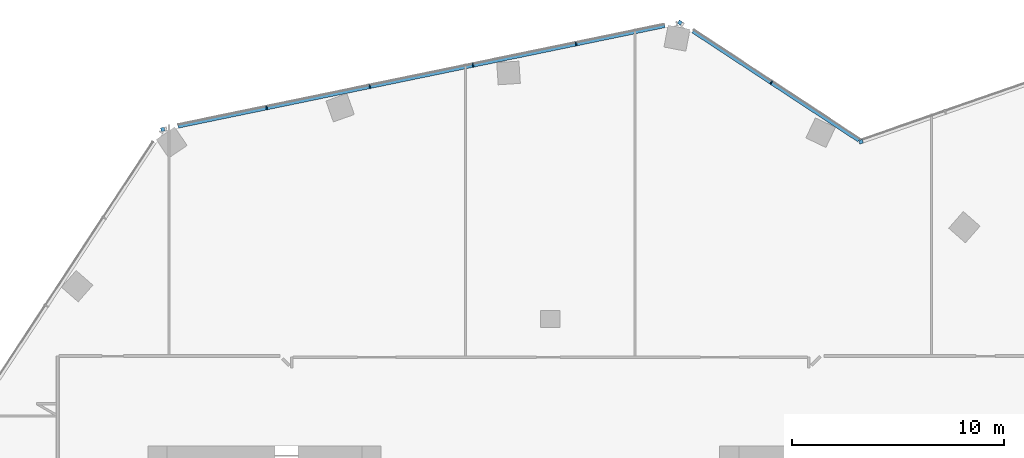
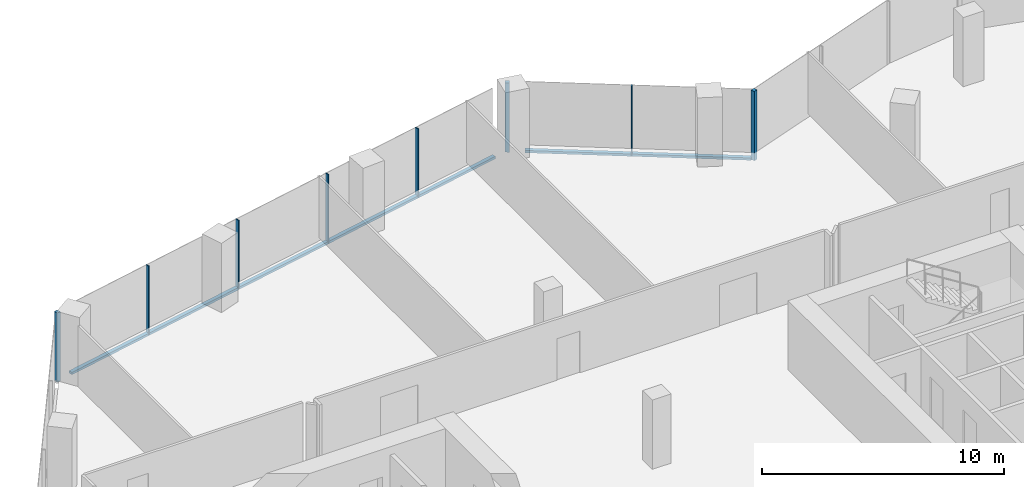
# One storey, part 10 of 24: 10 members, 3 elements without a shape of their own.
"""IFC4 building model written with IfcOpenShell, lengths in metres."""

from ifc_helpers import new_model, si_unit, direction, frame, origin, origin_2d, place, context, subcontext, project, spatial, rectangle, extrude, material, material_profile, profile_set, type_object, element, aggregate, save


model = new_model("IFC4")

# Units and contexts
model_context = context("Model", 3, precision=1e-05, world=origin(), true_north=direction((0.0, 1.0)))
body_context = subcontext(model_context, "Body", "Model", "MODEL_VIEW")
ifc_project = project(units=[si_unit("LENGTHUNIT", "METRE"), si_unit("AREAUNIT", "SQUARE_METRE"), si_unit("VOLUMEUNIT", "CUBIC_METRE"), si_unit("PLANEANGLEUNIT", "RADIAN"), si_unit("MASSUNIT", "GRAM", prefix="KILO")], contexts=[model_context])

# Site, building, storey
site_placement = place(None, origin())
site = spatial("IfcSite", under=ifc_project, at=site_placement, CompositionType="ELEMENT")
building_placement = place(site_placement, origin())
building = spatial("IfcBuilding", under=site, at=building_placement, Name="Orlundy Tower", CompositionType="ELEMENT")
storey_placement = place(building_placement, frame((0.0, 0.0, 242.5)))
storey = spatial("IfcBuildingStorey", under=building, at=storey_placement, Name="L64", CompositionType="ELEMENT", Elevation=242.5)

# Curtain wall, member
ifc_material_1 = material(Name="Aluminium bronze anodised", Category="aluminium")
curtain_wall_type = type_object("IfcCurtainWallType", Name="CW1 wall", PredefinedType="NOTDEFINED", material=ifc_material_1)
curtain_wall_1_placement = place(storey_placement, origin())
curtain_wall_1 = element("IfcCurtainWall", 1, at=curtain_wall_1_placement, inside=storey, type_object=curtain_wall_type, Name="CW1 run 016", PredefinedType="NOTDEFINED")
ifc_material_2 = material(Name="Aluminium bronze anodised", Category="aluminium")
ifc_material_profile_1 = material_profile(ifc_material_2, rectangle(XDim=0.179931640625, YDim=0.179931640625, at=origin_2d()), Name="CW1 corner post 180x180")
ifc_profile_set_1 = profile_set([ifc_material_profile_1], Name="Aluminium bronze anodised")
member_type_1 = type_object("IfcMemberType", Name="CW1 corner post 180x180", PredefinedType="MULLION", material=ifc_profile_set_1)
member_1_placement = place(storey_placement, frame((-18.290771484375, 26.947509765625, -0.39990234375), z_axis=(0.0, 0.0, 1.0), x_axis=(-0.202233038095, 0.979337428215, 0.0)))
member_1 = element("IfcMember", 2, at=member_1_placement, type_object=member_type_1, Name="CW1 mullion 32", PredefinedType="MULLION", context=body_context, shape_type="SweptSolid", body=[
    extrude(rectangle(XDim=0.179931640625, YDim=0.179931640625, at=origin_2d()), origin(), (0.0, 0.0, 1.0), 3.5),
])

curtain_wall_2_placement = place(storey_placement, origin())
curtain_wall_2 = element("IfcCurtainWall", 3, at=curtain_wall_2_placement, inside=storey, type_object=curtain_wall_type, Name="CW1 run 017", PredefinedType="NOTDEFINED")
member_2_placement = place(storey_placement, frame((6.121337890625, 31.98876953125, -0.39990234375), z_axis=(0.0, 0.0, 1.0), x_axis=(0.549481934574, 0.835505597573, 0.0)))
member_2 = element("IfcMember", 4, at=member_2_placement, type_object=member_type_1, Name="CW1 mullion 37", PredefinedType="MULLION", context=body_context, shape_type="SweptSolid", body=[
    extrude(rectangle(XDim=0.179931640625, YDim=0.179931640625, at=origin_2d()), origin(), (0.0, 0.0, 1.0), 3.5),
])

curtain_wall_3_placement = place(storey_placement, origin())
curtain_wall_3 = element("IfcCurtainWall", 5, at=curtain_wall_3_placement, inside=storey, type_object=curtain_wall_type, Name="CW1 run 018", PredefinedType="NOTDEFINED")
member_3_placement = place(storey_placement, frame((14.66845703125, 26.36767578125, -0.39990234375), z_axis=(0.0, 0.0, 1.0), x_axis=(-0.328297862498, 0.94457424985, 0.0)))
member_3 = element("IfcMember", 6, at=member_3_placement, type_object=member_type_1, Name="CW1 mullion 39", PredefinedType="MULLION", context=body_context, shape_type="SweptSolid", body=[
    extrude(rectangle(XDim=0.179931640625, YDim=0.179931640625, at=origin_2d()), origin(), (0.0, 0.0, 1.0), 3.5),
])
aggregate(curtain_wall_3, [member_3])

# Member
ifc_material_3 = material(Name="Aluminium bronze anodised", Category="aluminium")
ifc_material_profile_2 = material_profile(ifc_material_3, rectangle(XDim=0.179931640625, YDim=0.050048828125, at=origin_2d()), Name="CW1 mullion 50x180")
ifc_profile_set_2 = profile_set([ifc_material_profile_2], Name="Aluminium bronze anodised")
member_type_2 = type_object("IfcMemberType", Name="CW1 mullion 50x180", PredefinedType="MULLION", material=ifc_profile_set_2)
member_4_placement = place(storey_placement, frame((-13.386474609375, 27.96044921875, -0.39990234375), z_axis=(0.0, 0.0, 1.0), x_axis=(-0.202233038095, 0.979337428215, 0.0)))
member_4 = element("IfcMember", 7, at=member_4_placement, type_object=member_type_2, Name="CW1 mullion 33", PredefinedType="MULLION", context=body_context, shape_type="SweptSolid", body=[
    extrude(rectangle(XDim=0.179931640625, YDim=0.050048828125, at=origin_2d()), origin(), (0.0, 0.0, 1.0), 3.5),
])

member_5_placement = place(storey_placement, frame((-8.5185546875, 28.965576171875, -0.39990234375), z_axis=(0.0, 0.0, 1.0), x_axis=(-0.202233038095, 0.979337428215, 0.0)))
member_5 = element("IfcMember", 8, at=member_5_placement, type_object=member_type_2, Name="CW1 mullion 34", PredefinedType="MULLION", context=body_context, shape_type="SweptSolid", body=[
    extrude(rectangle(XDim=0.179931640625, YDim=0.050048828125, at=origin_2d()), origin(), (0.0, 0.0, 1.0), 3.5),
])

member_6_placement = place(storey_placement, frame((-3.65087890625, 29.970703125, -0.39990234375), z_axis=(0.0, 0.0, 1.0), x_axis=(-0.202233038095, 0.979337428215, 0.0)))
member_6 = element("IfcMember", 9, at=member_6_placement, type_object=member_type_2, Name="CW1 mullion 35", PredefinedType="MULLION", context=body_context, shape_type="SweptSolid", body=[
    extrude(rectangle(XDim=0.179931640625, YDim=0.050048828125, at=origin_2d()), origin(), (0.0, 0.0, 1.0), 3.5),
])

member_7_placement = place(storey_placement, frame((1.217041015625, 30.975830078125, -0.39990234375), z_axis=(0.0, 0.0, 1.0), x_axis=(-0.202233038095, 0.979337428215, 0.0)))
member_7 = element("IfcMember", 10, at=member_7_placement, type_object=member_type_2, Name="CW1 mullion 36", PredefinedType="MULLION", context=body_context, shape_type="SweptSolid", body=[
    extrude(rectangle(XDim=0.179931640625, YDim=0.050048828125, at=origin_2d()), origin(), (0.0, 0.0, 1.0), 3.5),
])

member_8_placement = place(storey_placement, frame((10.428955078125, 29.15576171875, -0.39990234375), z_axis=(0.0, 0.0, 1.0), x_axis=(0.549481934574, 0.835505597573, 0.0)))
member_8 = element("IfcMember", 11, at=member_8_placement, type_object=member_type_2, Name="CW1 mullion 38", PredefinedType="MULLION", context=body_context, shape_type="SweptSolid", body=[
    extrude(rectangle(XDim=0.179931640625, YDim=0.050048828125, at=origin_2d()), origin(), (0.0, 0.0, 1.0), 3.5),
])

ifc_material_4 = material(Name="Aluminium bronze anodised", Category="aluminium")
ifc_material_profile_3 = material_profile(ifc_material_4, rectangle(XDim=0.179931640625, YDim=0.1201171875, at=origin_2d()), Name="CW1 transom 180x120")
ifc_profile_set_3 = profile_set([ifc_material_profile_3], Name="Aluminium bronze anodised")
member_type_3 = type_object("IfcMemberType", Name="CW1 transom 180x120", PredefinedType="USERDEFINED", material=ifc_profile_set_3)
member_9_placement = place(storey_placement, frame((-17.57470703125, 27.095458984375, -0.340087890625), z_axis=(0.979336229875, 0.202238841113, 0.0), x_axis=(-0.202238841113, 0.979336229875, 0.0)))
member_9 = element("IfcMember", 12, at=member_9_placement, type_object=member_type_3, Name="CW1 transom", ObjectType="TRANSOM", PredefinedType="USERDEFINED", context=body_context, shape_type="SweptSolid", body=[
    extrude(rectangle(XDim=0.179931640625, YDim=0.1201171875, at=origin_2d()), origin(), (0.0, 0.0, 1.0), 23.46533203125),
])

aggregate(curtain_wall_1, [member_1, member_4, member_5, member_6, member_7, member_9])

member_10_placement = place(storey_placement, frame((6.731689453125, 31.587158203125, -0.340087890625), z_axis=(0.835507591398, -0.549478902886, 0.0), x_axis=(0.549478902886, 0.835507591398, 0.0)))
member_10 = element("IfcMember", 13, at=member_10_placement, type_object=member_type_3, Name="CW1 transom", ObjectType="TRANSOM", PredefinedType="USERDEFINED", context=body_context, shape_type="SweptSolid", body=[
    extrude(rectangle(XDim=0.179931640625, YDim=0.1201171875, at=origin_2d()), origin(), (0.0, 0.0, 1.0), 9.3857421875),
])

aggregate(curtain_wall_2, [member_2, member_8, member_10])

save(model, "model.ifc")
